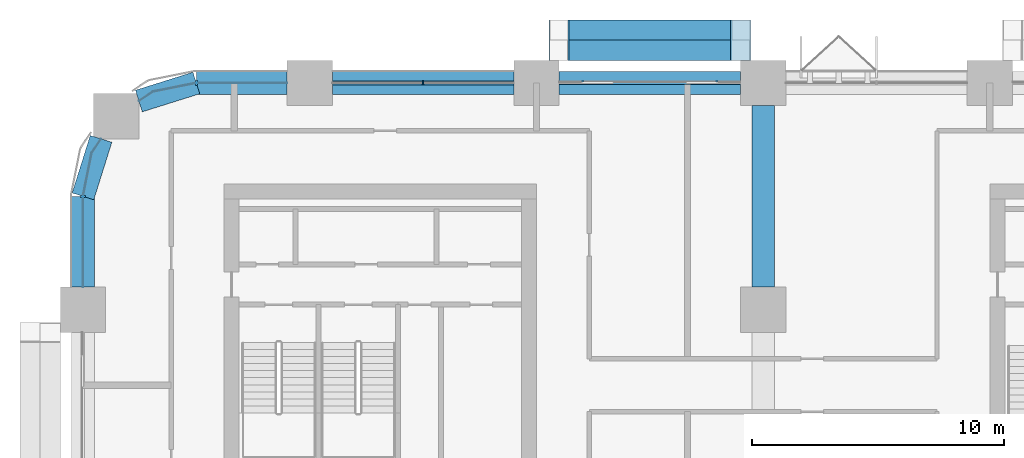
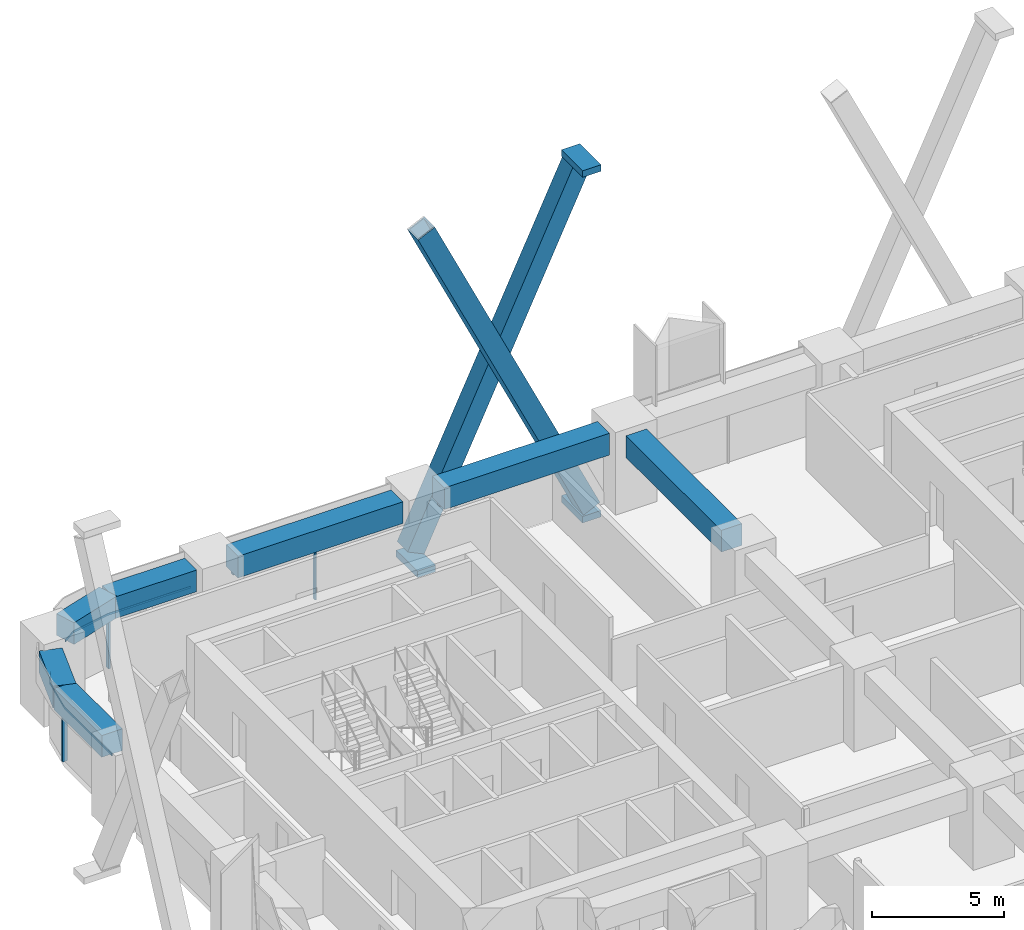
# One storey, part 7 of 23: 12 members, 7 beams, 4 elements without a shape of their own.
"""IFC4 building model written with IfcOpenShell, lengths in metres."""

from ifc_helpers import new_model, si_unit, direction, frame, origin, origin_2d, place, context, subcontext, project, spatial, polyline, rectangle, hollow_rectangle, outline, extrude, material, layer, layer_set, material_profile, profile_set, type_object, element, aggregate, save


model = new_model("IFC4")

# Units and contexts
model_context = context("Model", 3, precision=1e-05, world=origin(), true_north=direction((0.0, 1.0)))
body_context = subcontext(model_context, "Body", "Model", "MODEL_VIEW")
ifc_project = project(units=[si_unit("LENGTHUNIT", "METRE"), si_unit("AREAUNIT", "SQUARE_METRE"), si_unit("VOLUMEUNIT", "CUBIC_METRE"), si_unit("PLANEANGLEUNIT", "RADIAN"), si_unit("MASSUNIT", "GRAM", prefix="KILO")], contexts=[model_context])

# Site, building, storey
site_placement = place(None, origin())
site = spatial("IfcSite", under=ifc_project, at=site_placement, CompositionType="ELEMENT")
building_placement = place(site_placement, origin())
building = spatial("IfcBuilding", under=site, at=building_placement, Name="Tessera Arch", CompositionType="ELEMENT")
storey_placement = place(building_placement, frame((0.0, 0.0, 46.199951171875)))
storey = spatial("IfcBuildingStorey", under=building, at=storey_placement, Name="L09", CompositionType="ELEMENT", Elevation=46.199951171875)

# Members
ifc_material_1 = material(Name="Steel A572 Gr50", Category="steel")
ifc_material_profile_1 = material_profile(ifc_material_1, hollow_rectangle(XDim=0.800048828125, YDim=0.800048828125, WallThickness=0.06005859375, at=origin_2d()), Name="BOX 800x800x60")
ifc_profile_set_1 = profile_set([ifc_material_profile_1], Name="Steel A572 Gr50")
member_type_1 = type_object("IfcMemberType", Name="Brace BOX 800x800x60 Steel A572 Gr50", PredefinedType="BRACE", material=ifc_profile_set_1)
for number, where, z_axis, x_axis, name in (
    (1, (26.10009765625, 55.300048828125, -0.800048828125), (-0.428091336491, 0.0, 0.903735474363), (0.0, -1.0, 0.0), "Brace N54.0-3 A L09-L12"),
    (2, (18.89990234375, 56.10009765625, -0.800048828125), (0.428091336491, 0.0, 0.903735474363), (0.0, 1.0, 0.0), "Brace N54.0-3 B L09-L12"),
):
    element("IfcMember", number, at=place(storey_placement, frame(where, z_axis=z_axis, x_axis=x_axis)), inside=storey, type_object=member_type_1, Name=name, PredefinedType="BRACE", context=body_context, shape_type="SweptSolid", body=[
        extrude(hollow_rectangle(XDim=0.800048828125, YDim=0.800048828125, WallThickness=0.06005859375, at=origin_2d()), origin(), (0.0, 0.0, 1.0), 16.8193359375),
    ])

# Curtain wall, members
ifc_material_2 = material(Name="CW1 curtain wall")
curtain_wall_type_1 = type_object("IfcCurtainWallType", Name="CW1 curtain wall", PredefinedType="NOTDEFINED", material=ifc_material_2)
curtain_wall_1_placement = place(storey_placement, origin())
curtain_wall_1 = element("IfcCurtainWall", 3, at=curtain_wall_1_placement, inside=storey, type_object=curtain_wall_type_1, Name="CW1 curtain wall N54.0/4 L09", PredefinedType="NOTDEFINED")
ifc_material_3 = material(Name="Anodised aluminium pale metal", Category="aluminium")
ifc_material_profile_2 = material_profile(ifc_material_3, rectangle(XDim=0.159912109375, YDim=0.06005859375, at=origin_2d()), Name="AL 60x160")
ifc_profile_set_2 = profile_set([ifc_material_profile_2], Name="Anodised aluminium pale metal")
member_type_2 = type_object("IfcMemberType", Name="CW1 mullion", PredefinedType="MULLION", material=ifc_profile_set_2)
member_1_placement = place(storey_placement, frame((13.5, 54.0, 0.0), z_axis=(0.0, 0.0, 1.0), x_axis=(0.0, -1.0, 0.0)))
member_1 = element("IfcMember", 4, at=member_1_placement, type_object=member_type_2, Name="CW1 mullion N54.0/4 1", PredefinedType="MULLION", context=body_context, shape_type="SweptSolid", body=[
    extrude(rectangle(XDim=0.159912109375, YDim=0.06005859375, at=origin_2d()), origin(), (0.0, 0.0, 1.0), 2.400146484375),
])
ifc_material_4 = material(Name="Anodised aluminium pale metal", Category="aluminium")
ifc_material_profile_3 = material_profile(ifc_material_4, rectangle(XDim=0.159912109375, YDim=0.10009765625, at=origin_2d()), Name="AL 160x100")
ifc_profile_set_3 = profile_set([ifc_material_profile_3], Name="Anodised aluminium pale metal")
member_type_3 = type_object("IfcMemberType", Name="CW1 transom", PredefinedType="USERDEFINED", material=ifc_profile_set_3)
member_2_placement = place(storey_placement, frame((17.10009765625, 54.0, 2.449951171875), z_axis=(-1.0, 0.0, 0.0), x_axis=(0.0, -1.0, 0.0)))
member_2 = element("IfcMember", 5, at=member_2_placement, type_object=member_type_3, Name="CW1 transom N54.0/4 1.1", ObjectType="TRANSOM", PredefinedType="USERDEFINED", context=body_context, shape_type="SweptSolid", body=[
    extrude(rectangle(XDim=0.159912109375, YDim=0.10009765625, at=origin_2d()), origin(), (0.0, 0.0, 1.0), 7.2001953125),
])
aggregate(curtain_wall_1, [member_1, member_2])

# Curtain wall, member
ifc_material_5 = material(Name="CW2 curtain wall")
curtain_wall_type_2 = type_object("IfcCurtainWallType", Name="CW2 curtain wall", PredefinedType="NOTDEFINED", material=ifc_material_5)
curtain_wall_2_placement = place(storey_placement, origin())
curtain_wall_2 = element("IfcCurtainWall", 6, at=curtain_wall_2_placement, inside=storey, type_object=curtain_wall_type_2, Name="CW2 curtain wall N54.0/5 L09", PredefinedType="NOTDEFINED")
ifc_material_6 = material(Name="Anodised aluminium pale metal", Category="aluminium")
ifc_material_profile_4 = material_profile(ifc_material_6, rectangle(XDim=0.199951171875, YDim=0.080078125, at=origin_2d()), Name="AL 80x200")
ifc_profile_set_4 = profile_set([ifc_material_profile_4], Name="Anodised aluminium pale metal")
member_type_4 = type_object("IfcMemberType", Name="CW2 mullion", PredefinedType="MULLION", material=ifc_profile_set_4)
member_3_placement = place(storey_placement, frame((4.5, 54.0, 0.0), z_axis=(0.0, 0.0, 1.0), x_axis=(0.0, -1.0, 0.0)))
member_3 = element("IfcMember", 7, at=member_3_placement, type_object=member_type_4, Name="CW2 mullion N54.0/5 1", PredefinedType="MULLION", context=body_context, shape_type="SweptSolid", body=[
    extrude(rectangle(XDim=0.199951171875, YDim=0.080078125, at=origin_2d()), origin(), (0.0, 0.0, 1.0), 2.400146484375),
])

curtain_wall_3_placement = place(storey_placement, origin())
curtain_wall_3 = element("IfcCurtainWall", 8, at=curtain_wall_3_placement, inside=storey, type_object=curtain_wall_type_2, Name="CW2 curtain wall W0.0/0 L09", PredefinedType="NOTDEFINED")
member_4_placement = place(storey_placement, frame((0.0, 49.5, 0.0), z_axis=(0.0, 0.0, 1.0), x_axis=(1.0, 0.0, 0.0)))
member_4 = element("IfcMember", 9, at=member_4_placement, type_object=member_type_4, Name="CW2 mullion W0.0/0 1", PredefinedType="MULLION", context=body_context, shape_type="SweptSolid", body=[
    extrude(rectangle(XDim=0.199951171875, YDim=0.080078125, at=origin_2d()), origin(), (0.0, 0.0, 1.0), 2.400146484375),
])

# Member
ifc_material_7 = material(Name="Anodised aluminium pale metal", Category="aluminium")
ifc_material_profile_5 = material_profile(ifc_material_7, rectangle(XDim=0.199951171875, YDim=0.10009765625, at=origin_2d()), Name="AL 200x100")
ifc_profile_set_5 = profile_set([ifc_material_profile_5], Name="Anodised aluminium pale metal")
member_type_5 = type_object("IfcMemberType", Name="CW2 transom", PredefinedType="USERDEFINED", material=ifc_profile_set_5)
member_5_placement = place(storey_placement, frame((0.0, 0.0, 2.400146484375)))
member_5 = element("IfcMember", 10, at=member_5_placement, type_object=member_type_5, Name="CW2 transom N54.0/5 1", ObjectType="TRANSOM", PredefinedType="USERDEFINED", context=body_context, shape_type="SweptSolid", body=[
    extrude(outline(polyline([(4.5009765625, 53.989990234375), (8.10009765625, 53.989990234375), (8.10009765625, 54.010009765625), (4.4990234375, 54.010009765625), (2.77392578125, 53.6669921875), (2.21240234375, 53.29150390625), (2.2236328125, 53.27490234375), (2.78173828125, 53.648193359375), (4.5009765625, 53.989990234375)])), origin(), (0.0, 0.0, 1.0), 0.099853515625),
])

aggregate(curtain_wall_2, [member_3, member_5])

member_6_placement = place(storey_placement, frame((0.0, 0.0, 2.400146484375)))
member_6 = element("IfcMember", 11, at=member_6_placement, type_object=member_type_5, Name="CW2 transom W0.0/0 1", ObjectType="TRANSOM", PredefinedType="USERDEFINED", context=body_context, shape_type="SweptSolid", body=[
    extrude(outline(polyline([(0.351806640625, 51.21826171875), (0.72509765625, 51.7763671875), (0.70849609375, 51.78759765625), (0.3330078125, 51.22607421875), (-0.010009765625, 49.5009765625), (-0.010009765625, 45.89990234375), (0.010009765625, 45.89990234375), (0.010009765625, 49.4990234375), (0.351806640625, 51.21826171875)])), origin(), (0.0, 0.0, 1.0), 0.099853515625),
])

aggregate(curtain_wall_3, [member_4, member_6])

# Curtain wall, member
ifc_material_8 = material(Name="CW3 curtain wall")
curtain_wall_type_3 = type_object("IfcCurtainWallType", Name="CW3 curtain wall", PredefinedType="NOTDEFINED", material=ifc_material_8)
curtain_wall_4_placement = place(storey_placement, origin())
curtain_wall_4 = element("IfcCurtainWall", 12, at=curtain_wall_4_placement, inside=storey, type_object=curtain_wall_type_3, Name="CW3 curtain wall N54.0/3 L09", PredefinedType="NOTDEFINED")
ifc_material_9 = material(Name="Anodised aluminium pale metal", Category="aluminium")
ifc_material_profile_6 = material_profile(ifc_material_9, rectangle(XDim=0.139892578125, YDim=0.10009765625, at=origin_2d()), Name="AL 140x100")
ifc_profile_set_6 = profile_set([ifc_material_profile_6], Name="Anodised aluminium pale metal")
member_type_6 = type_object("IfcMemberType", Name="CW3 transom", PredefinedType="USERDEFINED", material=ifc_profile_set_6)
member_7_placement = place(storey_placement, frame((26.10009765625, 54.0, 2.449951171875), z_axis=(-1.0, 0.0, 0.0), x_axis=(0.0, -1.0, 0.0)))
member_7 = element("IfcMember", 13, at=member_7_placement, type_object=member_type_6, Name="CW3 transom N54.0/3 1.1", ObjectType="TRANSOM", PredefinedType="USERDEFINED", context=body_context, shape_type="SweptSolid", body=[
    extrude(rectangle(XDim=0.139892578125, YDim=0.10009765625, at=origin_2d()), origin(), (0.0, 0.0, 1.0), 7.2001953125),
])
aggregate(curtain_wall_4, [member_7])

# Members
ifc_material_10 = material(Name="Steel A572 Gr50", Category="steel")
ifc_layer = layer(ifc_material_10, 0.050048828125)
ifc_layer_set = layer_set([ifc_layer], Name="Node block Steel A572 Gr50")
member_type_7 = type_object("IfcMemberType", Name="Node block Steel A572 Gr50", PredefinedType="PLATE", material=ifc_layer_set)
for number, where, z_axis, x_axis, name in (
    (14, (18.89990234375, 55.699951171875, -1.31640625), (0.0, 0.0, 1.0), (-1.0, 0.0, 0.0), "Node block seat N54.0-3 1 L09"),
    (15, (26.10009765625, 55.699951171875, -1.31640625), (0.0, 0.0, 1.0), (-1.0, 0.0, 0.0), "Node block seat N54.0-3 2 L09"),
    (16, (26.10009765625, 55.699951171875, 14.6162109375), (0.0, 0.0, 1.0), (-1.0, 0.0, 0.0), "Node block head N54.0-3 B L09"),
):
    element("IfcMember", number, at=place(storey_placement, frame(where, z_axis=z_axis, x_axis=x_axis)), inside=storey, type_object=member_type_7, Name=name, PredefinedType="PLATE", context=body_context, shape_type="SweptSolid", body=[
        extrude(rectangle(XDim=0.800048828125, YDim=1.60009765625, at=origin_2d()), origin(), (0.0, 0.0, 1.0), 0.300048828125),
    ])

# Beams
ifc_material_11 = material(Name="Concrete C80/95", Category="concrete")
ifc_material_profile_7 = material_profile(ifc_material_11, rectangle(XDim=0.89990234375, YDim=1.0, at=origin_2d()), Name="RC spandrel beam 900 x 1000 Concrete C80/95")
ifc_profile_set_7 = profile_set([ifc_material_profile_7], Name="Concrete C80/95")
beam_type = type_object("IfcBeamType", Name="RC spandrel beam 900 x 1000 Concrete C80/95", PredefinedType="BEAM", material=ifc_profile_set_7)
for number, where, z_axis, x_axis, name in (
    (17, (26.10009765625, 54.0, 3.0), (-1.0, 0.0, 0.0), (0.0, -1.0, 0.0), "Spandrel beam L09 N54.0/3"),
    (18, (17.10009765625, 54.0, 3.0), (-1.0, 0.0, 0.0), (0.0, -1.0, 0.0), "Spandrel beam L09 N54.0/4"),
):
    element("IfcBeam", number, at=place(storey_placement, frame(where, z_axis=z_axis, x_axis=x_axis)), inside=storey, type_object=beam_type, Name=name, PredefinedType="BEAM", context=body_context, shape_type="SweptSolid", body=[
        extrude(rectangle(XDim=0.89990234375, YDim=1.0, at=origin_2d()), origin(), (0.0, 0.0, 1.0), 7.2001953125),
    ])
beam_1_placement = place(storey_placement, frame((8.10009765625, 54.0, 3.0), z_axis=(-1.0, 0.0, 0.0), x_axis=(0.0, -1.0, 0.0)))
element("IfcBeam", 19, at=beam_1_placement, inside=storey, type_object=beam_type, Name="Spandrel beam L09 N54.0/5.1", PredefinedType="BEAM", context=body_context, shape_type="SweptSolid", body=[
    extrude(rectangle(XDim=0.89990234375, YDim=1.0, at=origin_2d()), origin(), (0.0, 0.0, 1.0), 3.60009765625),
])
for number, where, z_axis, x_axis, name in (
    (20, (4.5, 54.0, 3.0), (-0.954041251279, -0.299675309057, 0.0), (0.299675309057, -0.954041251279, 0.0), "Spandrel beam L09 N54.0/5.2"),
    (21, (0.716796875, 51.781982421875, 3.0), (-0.299675309057, -0.954041251279, 0.0), (0.954041251279, -0.299675309057, 0.0), "Spandrel beam L09 W0.0/0.1"),
):
    element("IfcBeam", number, at=place(storey_placement, frame(where, z_axis=z_axis, x_axis=x_axis)), inside=storey, type_object=beam_type, Name=name, PredefinedType="BEAM", context=body_context, shape_type="SweptSolid", body=[
        extrude(rectangle(XDim=0.89990234375, YDim=1.0, at=origin_2d()), origin(), (0.0, 0.0, 1.0), 2.391845703125),
    ])
beam_2_placement = place(storey_placement, frame((0.0, 49.5, 3.0), z_axis=(0.0, -1.0, 0.0), x_axis=(1.0, 0.0, 0.0)))
element("IfcBeam", 22, at=beam_2_placement, inside=storey, type_object=beam_type, Name="Spandrel beam L09 W0.0/0.2", PredefinedType="BEAM", context=body_context, shape_type="SweptSolid", body=[
    extrude(rectangle(XDim=0.89990234375, YDim=1.0, at=origin_2d()), origin(), (0.0, 0.0, 1.0), 3.60009765625),
])
beam_3_placement = place(storey_placement, frame((27.0, 45.89990234375, 3.0), z_axis=(0.0, 1.0, 0.0), x_axis=(-1.0, 0.0, 0.0)))
element("IfcBeam", 23, at=beam_3_placement, inside=storey, type_object=beam_type, Name="Interface beam L09 I0C4F-C4G", PredefinedType="BEAM", context=body_context, shape_type="SweptSolid", body=[
    extrude(rectangle(XDim=0.89990234375, YDim=1.0, at=origin_2d()), origin(), (0.0, 0.0, 1.0), 7.2001953125),
])

save(model, "model.ifc")
